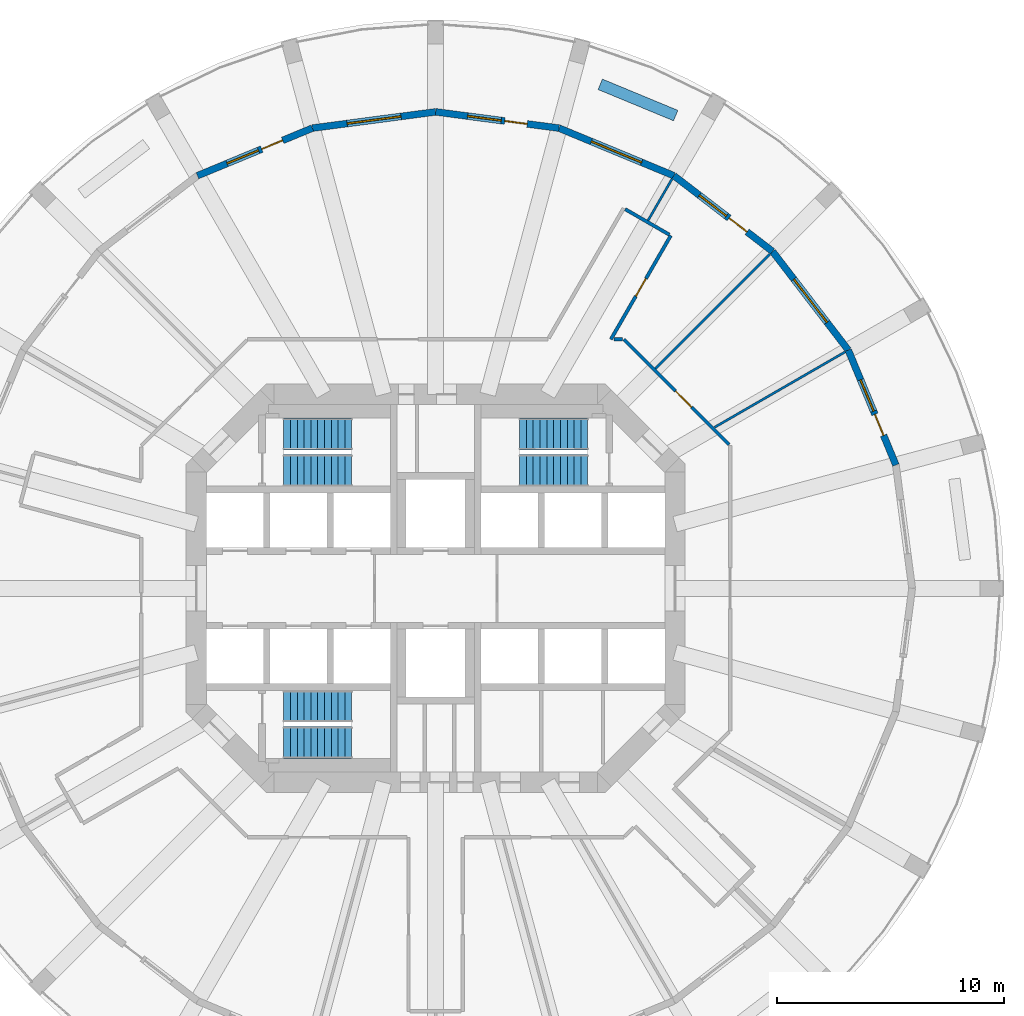
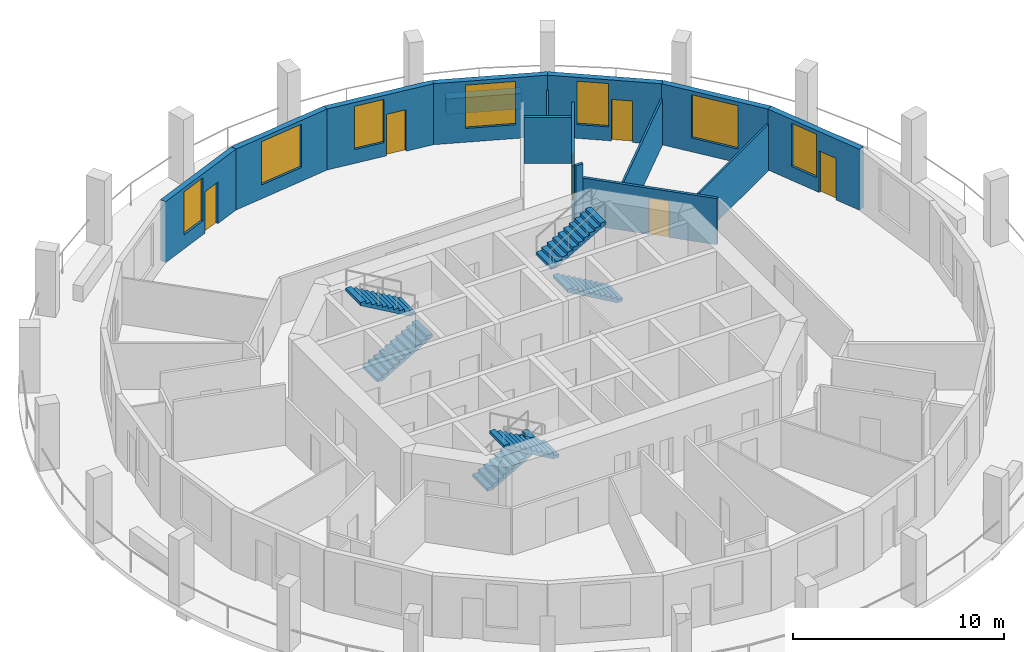
# One storey, part 6 of 8: 15 walls, 7 windows, 6 doors, 6 stair flights, 13 openings, 3 elements without a shape of their own.
"""IFC4 building model written with IfcOpenShell, lengths in metres."""

from ifc_helpers import new_model, si_unit, direction, frame, frame_2d, origin, place, context, subcontext, project, spatial, polyline, rectangle, outline, extrude, material, layer, layer_set, type_object, element, fill, aggregate, save


model = new_model("IFC4")

# Units and contexts
model_context = context("Model", 3, precision=1e-05, world=origin(), true_north=direction((0.0, 1.0)))
body_context = subcontext(model_context, "Body", "Model", "MODEL_VIEW")
ifc_project = project(units=[si_unit("LENGTHUNIT", "METRE"), si_unit("AREAUNIT", "SQUARE_METRE"), si_unit("VOLUMEUNIT", "CUBIC_METRE"), si_unit("PLANEANGLEUNIT", "RADIAN"), si_unit("MASSUNIT", "GRAM", prefix="KILO")], contexts=[model_context])

# Site, building, storey
site_placement = place(None, origin())
site = spatial("IfcSite", under=ifc_project, at=site_placement, CompositionType="ELEMENT")
building_placement = place(site_placement, origin())
building = spatial("IfcBuilding", under=site, at=building_placement, Name="Torre Triforio", CompositionType="ELEMENT")
storey_placement = place(building_placement, frame((0.0, 0.0, 116.199951171875)))
storey = spatial("IfcBuildingStorey", under=building, at=storey_placement, Name="L25", CompositionType="ELEMENT", Elevation=116.199951171875)

# Wall
ifc_material_1 = material(Name="Plasterboard on metal studs")
ifc_layer_1 = layer(ifc_material_1, 0.14990234375)
ifc_layer_set_1 = layer_set([ifc_layer_1], Name="Plasterboard on metal studs")
wall_type_1 = type_object("IfcWallType", Name="Corridor and tenancy wall 150 mm EI 60", PredefinedType="PARTITIONING", material=ifc_layer_set_1)
wall_1_placement = place(storey_placement, frame((8.35009765625, 16.712890625, 0.0), z_axis=(0.0, 0.0, 1.0), x_axis=(0.866017533419, -0.500013631625, 0.0)))
element("IfcWall", 1, at=wall_1_placement, inside=storey, type_object=wall_type_1, Name="Partition 11", PredefinedType="PARTITIONING", context=body_context, shape_type="SweptSolid", body=[
    extrude(rectangle(XDim=2.25, YDim=0.14990234375, at=frame_2d((1.125, 0.0))), origin(), (0.0, 0.0, 1.0), 2.670166015625),
])

# Wall, opening, door
wall_2_placement = place(storey_placement, frame((10.363525390625, 15.55029296875, 0.0), z_axis=(0.0, 0.0, 1.0), x_axis=(-0.499981143329, -0.866036290415, 0.0)))
wall_2 = element("IfcWall", 2, at=wall_2_placement, inside=storey, type_object=wall_type_1, Name="Partition 12", PredefinedType="PARTITIONING", context=body_context, shape_type="SweptSolid", body=[
    extrude(rectangle(XDim=5.282958984375, YDim=0.14990234375, at=frame_2d((2.6416015625, 0.0))), origin(), (0.0, 0.0, 1.0), 3.52001953125),
])
opening_1_placement = place(wall_2_placement, frame((2.19140625, 0.0, 0.0)))
opening_1 = element("IfcOpeningElement", 3, at=opening_1_placement, cuts=wall_2, Name="Opening D1-14", PredefinedType="OPENING", context=body_context, shape_type="SweptSolid", body=[
    extrude(rectangle(XDim=0.89990234375, YDim=2.10009765625, at=frame_2d((0.449951171875, 1.050048828125))), frame((0.0, 0.0849609375, 0.0), z_axis=(0.0, -1.0, 0.0), x_axis=(1.0, 0.0, 0.0)), (0.0, 0.0, 1.0), 0.169921875),
])
ifc_material_2 = material(Name="Timber", Category="wood")
door_type_1 = type_object("IfcDoorType", Name="Door 900 x 2100 single leaf EI 30", OperationType="NOTDEFINED", PredefinedType="DOOR", material=ifc_material_2)
door_1_placement = place(opening_1_placement, origin())
door_1 = element("IfcDoor", 4, at=door_1_placement, inside=storey, type_object=door_type_1, Name="Door D1-14", OperationType="SINGLE_SWING_LEFT", OverallHeight=2.10009765625, OverallWidth=0.89990234375, PredefinedType="DOOR", context=body_context, shape_type="SweptSolid", body=[
    extrude(rectangle(XDim=0.89990234375, YDim=2.10009765625, at=frame_2d((0.449951171875, 1.050048828125))), frame((0.0, 0.02490234375, 0.0), z_axis=(0.0, -1.0, 0.0), x_axis=(1.0, 0.0, 0.0)), (0.0, 0.0, 1.0), 0.050048828125),
])
fill(opening_1, door_1)

# Wall
wall_3_placement = place(storey_placement, frame((7.85205078125, 10.97509765625, 0.0), z_axis=(0.0, 0.0, 1.0), x_axis=(1.0, 0.0, 0.0)))
element("IfcWall", 5, at=wall_3_placement, inside=storey, type_object=wall_type_1, Name="Partition 13", PredefinedType="PARTITIONING", context=body_context, shape_type="SweptSolid", body=[
    extrude(rectangle(XDim=0.38623046875, YDim=0.14990234375, at=frame_2d((0.193115234375, 0.0))), origin(), (0.0, 0.0, 1.0), 3.52001953125),
])

# Wall, opening, door
wall_4_placement = place(storey_placement, frame((8.291015625, 10.97509765625, 0.0), z_axis=(0.0, 0.0, 1.0), x_axis=(0.707088206597, -0.707125355289, 0.0)))
wall_4 = element("IfcWall", 6, at=wall_4_placement, inside=storey, type_object=wall_type_1, Name="Partition 14", PredefinedType="PARTITIONING", context=body_context, shape_type="SweptSolid", body=[
    extrude(rectangle(XDim=6.572021484375, YDim=0.14990234375, at=frame_2d((3.2861328125, 0.0))), origin(), (0.0, 0.0, 1.0), 2.670166015625),
])
opening_2_placement = place(wall_4_placement, frame((3.22412109375, 0.0, 0.0)))
opening_2 = element("IfcOpeningElement", 7, at=opening_2_placement, cuts=wall_4, Name="Opening D1-13", PredefinedType="OPENING", context=body_context, shape_type="SweptSolid", body=[
    extrude(rectangle(XDim=1.0, YDim=2.10009765625, at=frame_2d((0.5, 1.050048828125))), frame((0.0, 0.0849609375, 0.0), z_axis=(0.0, -1.0, 0.0), x_axis=(1.0, 0.0, 0.0)), (0.0, 0.0, 1.0), 0.169921875),
])
door_type_2 = type_object("IfcDoorType", Name="Door 1000 x 2100 single leaf EI 30", OperationType="NOTDEFINED", PredefinedType="DOOR", material=ifc_material_2)
door_2_placement = place(opening_2_placement, origin())
door_2 = element("IfcDoor", 8, at=door_2_placement, inside=storey, type_object=door_type_2, Name="Door D1-13", OperationType="SINGLE_SWING_RIGHT", OverallHeight=2.10009765625, OverallWidth=1.0, PredefinedType="DOOR", context=body_context, shape_type="SweptSolid", body=[
    extrude(rectangle(XDim=1.0, YDim=2.10009765625, at=frame_2d((0.5, 1.050048828125))), frame((0.0, 0.02490234375, 0.0), z_axis=(0.0, -1.0, 0.0), x_axis=(1.0, 0.0, 0.0)), (0.0, 0.0, 1.0), 0.050048828125),
])
fill(opening_2, door_2)

# Walls
ifc_layer_2 = layer(ifc_material_1, 0.10009765625)
ifc_layer_set_2 = layer_set([ifc_layer_2], Name="Plasterboard on metal studs")
wall_type_2 = type_object("IfcWallType", Name="Partition 100 mm board on metal studs", PredefinedType="PARTITIONING", material=ifc_layer_set_2)
wall_5_placement = place(storey_placement, frame((12.294189453125, 7.097900390625, 0.0), z_axis=(0.0, 0.0, 1.0), x_axis=(0.866010486135, 0.500025837236, 0.0)))
element("IfcWall", 9, at=wall_5_placement, inside=storey, type_object=wall_type_2, Name="Partition 30", PredefinedType="PARTITIONING", context=body_context, shape_type="SweptSolid", body=[
    extrude(rectangle(XDim=6.640869140625, YDim=0.10009765625, at=frame_2d((3.3203125, 0.0))), origin(), (0.0, 0.0, 1.0), 2.670166015625),
])
wall_6_placement = place(storey_placement, frame((9.68603515625, 9.68603515625, 0.0), z_axis=(0.0, 0.0, 1.0), x_axis=(0.707106781187, 0.707106781187, 0.0)))
element("IfcWall", 10, at=wall_6_placement, inside=storey, type_object=wall_type_2, Name="Partition 31", PredefinedType="PARTITIONING", context=body_context, shape_type="SweptSolid", body=[
    extrude(rectangle(XDim=7.138671875, YDim=0.10009765625, at=frame_2d((3.5693359375, 0.0))), origin(), (0.0, 0.0, 1.0), 2.670166015625),
])
wall_7_placement = place(storey_placement, frame((9.36181640625, 16.215087890625, 0.0), z_axis=(0.0, 0.0, 1.0), x_axis=(0.500015802937, 0.866016279763, 0.0)))
element("IfcWall", 11, at=wall_7_placement, inside=storey, type_object=wall_type_2, Name="Partition 32", PredefinedType="PARTITIONING", context=body_context, shape_type="SweptSolid", body=[
    extrude(rectangle(XDim=2.11328125, YDim=0.10009765625, at=frame_2d((1.056640625, 0.0))), origin(), (0.0, 0.0, 1.0), 2.670166015625),
])
ifc_material_3 = material(Name="Limestone cladding", Category="masonry")
ifc_layer_3 = layer(ifc_material_3, 0.10009765625)
ifc_material_4 = material(Name="Concrete C40", Category="concrete")
ifc_layer_4 = layer(ifc_material_4, 0.39990234375)
ifc_layer_set_3 = layer_set([ifc_layer_3, ifc_layer_4], Name="Limestone cladding / Concrete C40")
wall_type_3 = type_object("IfcWallType", Name="Planter wall 500", PredefinedType="PARAPET", material=ifc_layer_set_3)
wall_8_placement = place(storey_placement, frame((10.57958984375, 20.837646484375, 0.0), z_axis=(0.0, 0.0, 1.0), x_axis=(-0.923909393783, 0.382611332921, 0.0)))
element("IfcWall", 12, at=wall_8_placement, inside=storey, type_object=wall_type_3, Name="Planter L25 bay 05", PredefinedType="PARAPET", context=body_context, shape_type="SweptSolid", body=[
    extrude(rectangle(XDim=3.60009765625, YDim=0.5, at=frame_2d((1.800048828125, 0.0))), origin(), (0.0, 0.0, 1.0), 0.900146484375),
])

# Wall, openings, door, window
ifc_layer_5 = layer(ifc_material_3, 0.10009765625)
ifc_layer_6 = layer(ifc_material_4, 0.199951171875)
ifc_layer_set_4 = layer_set([ifc_layer_5, ifc_layer_6], Name="Limestone cladding / Concrete C40")
wall_type_4 = type_object("IfcWallType", Name="Stone-faced composite wall 300", PredefinedType="STANDARD", material=ifc_layer_set_4)
wall_9_placement = place(storey_placement, frame((20.284423828125, 5.435302734375, 0.0), z_axis=(0.0, 0.0, 1.0), x_axis=(-0.382688740813, 0.923877333662, 0.0)))
wall_9 = element("IfcWall", 13, at=wall_9_placement, inside=storey, type_object=wall_type_4, Name="External wall L25 bay 02", PredefinedType="STANDARD", context=body_context, shape_type="SweptSolid", body=[
    extrude(rectangle(XDim=5.48193359375, YDim=0.300048828125, at=frame_2d((2.740966796875, 0.0))), origin(), (0.0, 0.0, 1.0), 3.52001953125),
])
opening_3_placement = place(wall_9_placement, frame((1.416015625, 0.0, 0.0)))
opening_3 = element("IfcOpeningElement", 14, at=opening_3_placement, cuts=wall_9, Name="Opening D1-D02", PredefinedType="OPENING", context=body_context, shape_type="SweptSolid", body=[
    extrude(rectangle(XDim=1.0, YDim=2.39990234375, at=frame_2d((0.5, 1.199951171875))), frame((0.0, 0.159912109375, 0.0), z_axis=(0.0, -1.0, 0.0), x_axis=(1.0, 0.0, 0.0)), (0.0, 0.0, 1.0), 0.320068359375),
])
opening_4_placement = place(wall_9_placement, frame((2.566162109375, 0.0, 0.800048828125)))
opening_4 = element("IfcOpeningElement", 15, at=opening_4_placement, cuts=wall_9, Name="Opening D1-W02A", PredefinedType="OPENING", context=body_context, shape_type="SweptSolid", body=[
    extrude(rectangle(XDim=1.5, YDim=2.5, at=frame_2d((0.75, 1.25))), frame((0.0, 0.159912109375, 0.0), z_axis=(0.0, -1.0, 0.0), x_axis=(1.0, 0.0, 0.0)), (0.0, 0.0, 1.0), 0.320068359375),
])
ifc_material_5 = material(Name="Aluminium frame with clear double glazing", Category="aluminium")
door_type_3 = type_object("IfcDoorType", Name="Loggia door 1000 x 2400", OperationType="NOTDEFINED", PredefinedType="DOOR", material=ifc_material_5)
door_3_placement = place(opening_3_placement, origin())
door_3 = element("IfcDoor", 16, at=door_3_placement, inside=storey, type_object=door_type_3, Name="Loggia door L25 bay 02", OperationType="SINGLE_SWING_LEFT", OverallHeight=2.39990234375, OverallWidth=1.0, PredefinedType="DOOR", context=body_context, shape_type="SweptSolid", body=[
    extrude(rectangle(XDim=1.0, YDim=2.39990234375, at=frame_2d((0.5, 1.199951171875))), frame((0.0, 0.02490234375, 0.0), z_axis=(0.0, -1.0, 0.0), x_axis=(1.0, 0.0, 0.0)), (0.0, 0.0, 1.0), 0.050048828125),
])
fill(opening_3, door_3)
window_type_1 = type_object("IfcWindowType", Name="Side window 1500 x 2500", PartitioningType="SINGLE_PANEL", PredefinedType="WINDOW", material=ifc_material_5)
window_1_placement = place(opening_4_placement, origin())
window_1 = element("IfcWindow", 17, at=window_1_placement, inside=storey, type_object=window_type_1, Name="Side window EWN13 L25 bay 02", OverallHeight=2.5, OverallWidth=1.5, PartitioningType="SINGLE_PANEL", PredefinedType="WINDOW", context=body_context, shape_type="SweptSolid", body=[
    extrude(rectangle(XDim=1.5, YDim=2.5, at=frame_2d((0.75, 1.25))), frame((0.0, 0.030029296875, 0.0), z_axis=(0.0, -1.0, 0.0), x_axis=(1.0, 0.0, 0.0)), (0.0, 0.0, 1.0), 0.06005859375),
])
fill(opening_4, window_1)

# Wall, opening, window
wall_10_placement = place(storey_placement, frame((18.1865234375, 10.5, 0.0), z_axis=(0.0, 0.0, 1.0), x_axis=(-0.608784891166, 0.793335336593, 0.0)))
wall_10 = element("IfcWall", 18, at=wall_10_placement, inside=storey, type_object=wall_type_4, Name="External wall L25 bay 03", PredefinedType="STANDARD", context=body_context, shape_type="SweptSolid", body=[
    extrude(rectangle(XDim=5.482177734375, YDim=0.300048828125, at=frame_2d((2.7412109375, 0.0))), origin(), (0.0, 0.0, 1.0), 3.52001953125),
])
opening_5_placement = place(wall_10_placement, frame((1.541015625, 0.0, 0.800048828125)))
opening_5 = element("IfcOpeningElement", 19, at=opening_5_placement, cuts=wall_10, Name="Opening D1-W03", PredefinedType="OPENING", context=body_context, shape_type="SweptSolid", body=[
    extrude(rectangle(XDim=2.39990234375, YDim=2.5, at=frame_2d((1.199951171875, 1.25))), frame((0.0, 0.159912109375, 0.0), z_axis=(0.0, -1.0, 0.0), x_axis=(1.0, 0.0, 0.0)), (0.0, 0.0, 1.0), 0.320068359375),
])
window_type_2 = type_object("IfcWindowType", Name="Punched window 2400 x 2500", PartitioningType="DOUBLE_PANEL_VERTICAL", PredefinedType="WINDOW", material=ifc_material_5)
window_2_placement = place(opening_5_placement, origin())
window_2 = element("IfcWindow", 20, at=window_2_placement, inside=storey, type_object=window_type_2, Name="Window EWN3 L25 bay 03", OverallHeight=2.5, OverallWidth=2.39990234375, PartitioningType="SINGLE_PANEL", PredefinedType="WINDOW", context=body_context, shape_type="SweptSolid", body=[
    extrude(rectangle(XDim=2.39990234375, YDim=2.5, at=frame_2d((1.199951171875, 1.25))), frame((0.0, 0.030029296875, 0.0), z_axis=(0.0, -1.0, 0.0), x_axis=(1.0, 0.0, 0.0)), (0.0, 0.0, 1.0), 0.06005859375),
])
fill(opening_5, window_2)

# Wall, openings, door, window
wall_11_placement = place(storey_placement, frame((14.84912109375, 14.84912109375, 0.0), z_axis=(0.0, 0.0, 1.0), x_axis=(-0.793335336593, 0.608784891166, 0.0)))
wall_11 = element("IfcWall", 21, at=wall_11_placement, inside=storey, type_object=wall_type_4, Name="External wall L25 bay 04", PredefinedType="STANDARD", context=body_context, shape_type="SweptSolid", body=[
    extrude(rectangle(XDim=5.482177734375, YDim=0.300048828125, at=frame_2d((2.7412109375, 0.0))), origin(), (0.0, 0.0, 1.0), 3.52001953125),
])
opening_6_placement = place(wall_11_placement, frame((1.416015625, 0.0, 0.0)))
opening_6 = element("IfcOpeningElement", 22, at=opening_6_placement, cuts=wall_11, Name="Opening D1-D04", PredefinedType="OPENING", context=body_context, shape_type="SweptSolid", body=[
    extrude(rectangle(XDim=1.0, YDim=2.39990234375, at=frame_2d((0.5, 1.199951171875))), frame((0.0, 0.159912109375, 0.0), z_axis=(0.0, -1.0, 0.0), x_axis=(1.0, 0.0, 0.0)), (0.0, 0.0, 1.0), 0.320068359375),
])
opening_7_placement = place(wall_11_placement, frame((2.56591796875, 0.0, 0.800048828125)))
opening_7 = element("IfcOpeningElement", 23, at=opening_7_placement, cuts=wall_11, Name="Opening D1-W04A", PredefinedType="OPENING", context=body_context, shape_type="SweptSolid", body=[
    extrude(rectangle(XDim=1.5, YDim=2.5, at=frame_2d((0.75, 1.25))), frame((0.0, 0.159912109375, 0.0), z_axis=(0.0, -1.0, 0.0), x_axis=(1.0, 0.0, 0.0)), (0.0, 0.0, 1.0), 0.320068359375),
])
door_4_placement = place(opening_6_placement, origin())
door_4 = element("IfcDoor", 24, at=door_4_placement, inside=storey, type_object=door_type_3, Name="Loggia door L25 bay 04", OperationType="SINGLE_SWING_LEFT", OverallHeight=2.39990234375, OverallWidth=1.0, PredefinedType="DOOR", context=body_context, shape_type="SweptSolid", body=[
    extrude(rectangle(XDim=1.0, YDim=2.39990234375, at=frame_2d((0.5, 1.199951171875))), frame((0.0, 0.02490234375, 0.0), z_axis=(0.0, -1.0, 0.0), x_axis=(1.0, 0.0, 0.0)), (0.0, 0.0, 1.0), 0.050048828125),
])
fill(opening_6, door_4)
window_3_placement = place(opening_7_placement, origin())
window_3 = element("IfcWindow", 25, at=window_3_placement, inside=storey, type_object=window_type_1, Name="Side window EWN13 L25 bay 04", OverallHeight=2.5, OverallWidth=1.5, PartitioningType="SINGLE_PANEL", PredefinedType="WINDOW", context=body_context, shape_type="SweptSolid", body=[
    extrude(rectangle(XDim=1.5, YDim=2.5, at=frame_2d((0.75, 1.25))), frame((0.0, 0.030029296875, 0.0), z_axis=(0.0, -1.0, 0.0), x_axis=(1.0, 0.0, 0.0)), (0.0, 0.0, 1.0), 0.06005859375),
])
fill(opening_7, window_3)

# Wall, opening, window
wall_12_placement = place(storey_placement, frame((10.5, 18.1865234375, 0.0), z_axis=(0.0, 0.0, 1.0), x_axis=(-0.923877333662, 0.382688740813, 0.0)))
wall_12 = element("IfcWall", 26, at=wall_12_placement, inside=storey, type_object=wall_type_4, Name="External wall L25 bay 05", PredefinedType="STANDARD", context=body_context, shape_type="SweptSolid", body=[
    extrude(rectangle(XDim=5.48193359375, YDim=0.300048828125, at=frame_2d((2.740966796875, 0.0))), origin(), (0.0, 0.0, 1.0), 3.52001953125),
])
opening_8_placement = place(wall_12_placement, frame((1.541015625, 0.0, 0.800048828125)))
opening_8 = element("IfcOpeningElement", 27, at=opening_8_placement, cuts=wall_12, Name="Opening D1-W05", PredefinedType="OPENING", context=body_context, shape_type="SweptSolid", body=[
    extrude(rectangle(XDim=2.39990234375, YDim=2.5, at=frame_2d((1.199951171875, 1.25))), frame((0.0, 0.159912109375, 0.0), z_axis=(0.0, -1.0, 0.0), x_axis=(1.0, 0.0, 0.0)), (0.0, 0.0, 1.0), 0.320068359375),
])
window_4_placement = place(opening_8_placement, origin())
window_4 = element("IfcWindow", 28, at=window_4_placement, inside=storey, type_object=window_type_2, Name="Window EWN3 L25 bay 05", OverallHeight=2.5, OverallWidth=2.39990234375, PartitioningType="SINGLE_PANEL", PredefinedType="WINDOW", context=body_context, shape_type="SweptSolid", body=[
    extrude(rectangle(XDim=2.39990234375, YDim=2.5, at=frame_2d((1.199951171875, 1.25))), frame((0.0, 0.030029296875, 0.0), z_axis=(0.0, -1.0, 0.0), x_axis=(1.0, 0.0, 0.0)), (0.0, 0.0, 1.0), 0.06005859375),
])
fill(opening_8, window_4)

# Wall, openings, door, window
wall_13_placement = place(storey_placement, frame((5.435302734375, 20.284423828125, 0.0), z_axis=(0.0, 0.0, 1.0), x_axis=(-0.991444743541, 0.130527087244, 0.0)))
wall_13 = element("IfcWall", 29, at=wall_13_placement, inside=storey, type_object=wall_type_4, Name="External wall L25 bay 06", PredefinedType="STANDARD", context=body_context, shape_type="SweptSolid", body=[
    extrude(rectangle(XDim=5.482177734375, YDim=0.300048828125, at=frame_2d((2.7412109375, 0.0))), origin(), (0.0, 0.0, 1.0), 3.52001953125),
])
opening_9_placement = place(wall_13_placement, frame((1.416015625, 0.0, 0.0)))
opening_9 = element("IfcOpeningElement", 30, at=opening_9_placement, cuts=wall_13, Name="Opening D1-D06", PredefinedType="OPENING", context=body_context, shape_type="SweptSolid", body=[
    extrude(rectangle(XDim=1.0, YDim=2.39990234375, at=frame_2d((0.5, 1.199951171875))), frame((0.0, 0.159912109375, 0.0), z_axis=(0.0, -1.0, 0.0), x_axis=(1.0, 0.0, 0.0)), (0.0, 0.0, 1.0), 0.320068359375),
])
opening_10_placement = place(wall_13_placement, frame((2.566162109375, 0.0, 0.800048828125)))
opening_10 = element("IfcOpeningElement", 31, at=opening_10_placement, cuts=wall_13, Name="Opening D1-W06A", PredefinedType="OPENING", context=body_context, shape_type="SweptSolid", body=[
    extrude(rectangle(XDim=1.5, YDim=2.5, at=frame_2d((0.75, 1.25))), frame((0.0, 0.159912109375, 0.0), z_axis=(0.0, -1.0, 0.0), x_axis=(1.0, 0.0, 0.0)), (0.0, 0.0, 1.0), 0.320068359375),
])
door_5_placement = place(opening_9_placement, origin())
door_5 = element("IfcDoor", 32, at=door_5_placement, inside=storey, type_object=door_type_3, Name="Loggia door L25 bay 06", OperationType="SINGLE_SWING_LEFT", OverallHeight=2.39990234375, OverallWidth=1.0, PredefinedType="DOOR", context=body_context, shape_type="SweptSolid", body=[
    extrude(rectangle(XDim=1.0, YDim=2.39990234375, at=frame_2d((0.5, 1.199951171875))), frame((0.0, 0.02490234375, 0.0), z_axis=(0.0, -1.0, 0.0), x_axis=(1.0, 0.0, 0.0)), (0.0, 0.0, 1.0), 0.050048828125),
])
fill(opening_9, door_5)
window_5_placement = place(opening_10_placement, origin())
window_5 = element("IfcWindow", 33, at=window_5_placement, inside=storey, type_object=window_type_1, Name="Side window EWN13 L25 bay 06", OverallHeight=2.5, OverallWidth=1.5, PartitioningType="SINGLE_PANEL", PredefinedType="WINDOW", context=body_context, shape_type="SweptSolid", body=[
    extrude(rectangle(XDim=1.5, YDim=2.5, at=frame_2d((0.75, 1.25))), frame((0.0, 0.030029296875, 0.0), z_axis=(0.0, -1.0, 0.0), x_axis=(1.0, 0.0, 0.0)), (0.0, 0.0, 1.0), 0.06005859375),
])
fill(opening_10, window_5)

# Wall, opening, window
wall_14_placement = place(storey_placement, frame((0.0, 21.0, 0.0), z_axis=(0.0, 0.0, 1.0), x_axis=(-0.991444743541, -0.130527087244, 0.0)))
wall_14 = element("IfcWall", 34, at=wall_14_placement, inside=storey, type_object=wall_type_4, Name="External wall L25 bay 07", PredefinedType="STANDARD", context=body_context, shape_type="SweptSolid", body=[
    extrude(rectangle(XDim=5.482177734375, YDim=0.300048828125, at=frame_2d((2.7412109375, 0.0))), origin(), (0.0, 0.0, 1.0), 3.52001953125),
])
opening_11_placement = place(wall_14_placement, frame((1.541015625, 0.0, 0.800048828125)))
opening_11 = element("IfcOpeningElement", 35, at=opening_11_placement, cuts=wall_14, Name="Opening D1-W07", PredefinedType="OPENING", context=body_context, shape_type="SweptSolid", body=[
    extrude(rectangle(XDim=2.39990234375, YDim=2.5, at=frame_2d((1.199951171875, 1.25))), frame((0.0, 0.159912109375, 0.0), z_axis=(0.0, -1.0, 0.0), x_axis=(1.0, 0.0, 0.0)), (0.0, 0.0, 1.0), 0.320068359375),
])
window_6_placement = place(opening_11_placement, origin())
window_6 = element("IfcWindow", 36, at=window_6_placement, inside=storey, type_object=window_type_2, Name="Window EWN3 L25 bay 07", OverallHeight=2.5, OverallWidth=2.39990234375, PartitioningType="SINGLE_PANEL", PredefinedType="WINDOW", context=body_context, shape_type="SweptSolid", body=[
    extrude(rectangle(XDim=2.39990234375, YDim=2.5, at=frame_2d((1.199951171875, 1.25))), frame((0.0, 0.030029296875, 0.0), z_axis=(0.0, -1.0, 0.0), x_axis=(1.0, 0.0, 0.0)), (0.0, 0.0, 1.0), 0.06005859375),
])
fill(opening_11, window_6)

# Wall, openings, door, window
wall_15_placement = place(storey_placement, frame((-5.435302734375, 20.284423828125, 0.0), z_axis=(0.0, 0.0, 1.0), x_axis=(-0.923877333662, -0.382688740813, 0.0)))
wall_15 = element("IfcWall", 37, at=wall_15_placement, inside=storey, type_object=wall_type_4, Name="External wall L25 bay 08", PredefinedType="STANDARD", context=body_context, shape_type="SweptSolid", body=[
    extrude(rectangle(XDim=5.48193359375, YDim=0.300048828125, at=frame_2d((2.740966796875, 0.0))), origin(), (0.0, 0.0, 1.0), 3.52001953125),
])
opening_12_placement = place(wall_15_placement, frame((1.416015625, 0.0, 0.0)))
opening_12 = element("IfcOpeningElement", 38, at=opening_12_placement, cuts=wall_15, Name="Opening D1-D08", PredefinedType="OPENING", context=body_context, shape_type="SweptSolid", body=[
    extrude(rectangle(XDim=1.0, YDim=2.39990234375, at=frame_2d((0.5, 1.199951171875))), frame((0.0, 0.159912109375, 0.0), z_axis=(0.0, -1.0, 0.0), x_axis=(1.0, 0.0, 0.0)), (0.0, 0.0, 1.0), 0.320068359375),
])
opening_13_placement = place(wall_15_placement, frame((2.566162109375, 0.0, 0.800048828125)))
opening_13 = element("IfcOpeningElement", 39, at=opening_13_placement, cuts=wall_15, Name="Opening D1-W08A", PredefinedType="OPENING", context=body_context, shape_type="SweptSolid", body=[
    extrude(rectangle(XDim=1.5, YDim=2.5, at=frame_2d((0.75, 1.25))), frame((0.0, 0.159912109375, 0.0), z_axis=(0.0, -1.0, 0.0), x_axis=(1.0, 0.0, 0.0)), (0.0, 0.0, 1.0), 0.320068359375),
])
door_6_placement = place(opening_12_placement, origin())
door_6 = element("IfcDoor", 40, at=door_6_placement, inside=storey, type_object=door_type_3, Name="Loggia door L25 bay 08", OperationType="SINGLE_SWING_LEFT", OverallHeight=2.39990234375, OverallWidth=1.0, PredefinedType="DOOR", context=body_context, shape_type="SweptSolid", body=[
    extrude(rectangle(XDim=1.0, YDim=2.39990234375, at=frame_2d((0.5, 1.199951171875))), frame((0.0, 0.02490234375, 0.0), z_axis=(0.0, -1.0, 0.0), x_axis=(1.0, 0.0, 0.0)), (0.0, 0.0, 1.0), 0.050048828125),
])
fill(opening_12, door_6)
window_7_placement = place(opening_13_placement, origin())
window_7 = element("IfcWindow", 41, at=window_7_placement, inside=storey, type_object=window_type_1, Name="Side window EWN13 L25 bay 08", OverallHeight=2.5, OverallWidth=1.5, PartitioningType="SINGLE_PANEL", PredefinedType="WINDOW", context=body_context, shape_type="SweptSolid", body=[
    extrude(rectangle(XDim=1.5, YDim=2.5, at=frame_2d((0.75, 1.25))), frame((0.0, 0.030029296875, 0.0), z_axis=(0.0, -1.0, 0.0), x_axis=(1.0, 0.0, 0.0)), (0.0, 0.0, 1.0), 0.06005859375),
])
fill(opening_13, window_7)

# Stair, stair flights
stair_type = type_object("IfcStairType", Name="STAIR HALF-TURN", PredefinedType="HALF_TURN_STAIR", material=ifc_material_4)
stair_1_placement = place(storey_placement, origin())
stair_1 = element("IfcStair", 42, at=stair_1_placement, inside=storey, type_object=stair_type, Name="Exit stair 1", PredefinedType="HALF_TURN_STAIR")
stair_flight_type = type_object("IfcStairFlightType", Name="STAIR FLIGHT 1400", PredefinedType="STRAIGHT", material=ifc_material_4)
stair_flight_1_placement = place(storey_placement, frame((-6.699951171875, 5.199951171875, 0.0), z_axis=(0.0, 0.0, 1.0), x_axis=(1.0, 0.0, 0.0)))
stair_flight_1 = element("IfcStairFlight", 43, at=stair_flight_1_placement, type_object=stair_flight_type, Name="ST1 flight 1", NumberOfRisers=11, NumberOfTreads=10, PredefinedType="STRAIGHT", RiserHeight=0.172727273, TreadLength=0.3, context=body_context, shape_type="SweptSolid", body=[
    extrude(outline(polyline([(0.0, 0.0), (0.0, 0.172607421875), (0.300048828125, 0.172607421875), (0.300048828125, 0.345458984375), (0.60009765625, 0.345458984375), (0.60009765625, 0.51806640625), (0.89990234375, 0.51806640625), (0.89990234375, 0.69091796875), (1.199951171875, 0.69091796875), (1.199951171875, 0.863525390625), (1.5, 0.863525390625), (1.5, 1.036376953125), (1.800048828125, 1.036376953125), (1.800048828125, 1.208984375), (2.10009765625, 1.208984375), (2.10009765625, 1.3818359375), (2.39990234375, 1.3818359375), (2.39990234375, 1.554443359375), (2.699951171875, 1.554443359375), (2.699951171875, 1.727294921875), (3.0, 1.727294921875), (3.0, 1.89990234375), (3.0, 1.55419921875), (0.300537109375, 0.0), (0.0, 0.0)])), frame((0.0, 0.699951171875, 0.0), z_axis=(0.0, -1.0, 0.0), x_axis=(1.0, 0.0, 0.0)), (0.0, 0.0, 1.0), 1.39990234375),
])
stair_flight_2_placement = place(storey_placement, frame((-3.699951171875, 6.800048828125, 1.900146484375), z_axis=(0.0, 0.0, 1.0), x_axis=(-1.0, 0.0, 0.0)))
stair_flight_2 = element("IfcStairFlight", 44, at=stair_flight_2_placement, type_object=stair_flight_type, Name="ST1 flight 2", NumberOfRisers=11, NumberOfTreads=10, PredefinedType="STRAIGHT", RiserHeight=0.172727273, TreadLength=0.3, context=body_context, shape_type="SweptSolid", body=[
    extrude(outline(polyline([(0.0, 0.0), (0.0, 0.172607421875), (0.300048828125, 0.172607421875), (0.300048828125, 0.345458984375), (0.60009765625, 0.345458984375), (0.60009765625, 0.51806640625), (0.89990234375, 0.51806640625), (0.89990234375, 0.69091796875), (1.199951171875, 0.69091796875), (1.199951171875, 0.863525390625), (1.5, 0.863525390625), (1.5, 1.036376953125), (1.800048828125, 1.036376953125), (1.800048828125, 1.208984375), (2.10009765625, 1.208984375), (2.10009765625, 1.3818359375), (2.39990234375, 1.3818359375), (2.39990234375, 1.554443359375), (2.699951171875, 1.554443359375), (2.699951171875, 1.727294921875), (3.0, 1.727294921875), (3.0, 1.89990234375), (3.0, 1.55419921875), (0.300537109375, 0.0), (0.0, 0.0)])), frame((0.0, 0.699951171875, 0.0), z_axis=(0.0, -1.0, 0.0), x_axis=(1.0, 0.0, 0.0)), (0.0, 0.0, 1.0), 1.39990234375),
])
aggregate(stair_1, [stair_flight_1, stair_flight_2])

stair_2_placement = place(storey_placement, origin())
stair_2 = element("IfcStair", 45, at=stair_2_placement, inside=storey, type_object=stair_type, Name="Exit stair 2", PredefinedType="HALF_TURN_STAIR")
stair_flight_3_placement = place(storey_placement, frame((6.699951171875, 5.199951171875, 0.0), z_axis=(0.0, 0.0, 1.0), x_axis=(-1.0, 0.0, 0.0)))
stair_flight_3 = element("IfcStairFlight", 46, at=stair_flight_3_placement, type_object=stair_flight_type, Name="ST2 flight 1", NumberOfRisers=11, NumberOfTreads=10, PredefinedType="STRAIGHT", RiserHeight=0.172727273, TreadLength=0.3, context=body_context, shape_type="SweptSolid", body=[
    extrude(outline(polyline([(0.0, 0.0), (0.0, 0.172607421875), (0.300048828125, 0.172607421875), (0.300048828125, 0.345458984375), (0.60009765625, 0.345458984375), (0.60009765625, 0.51806640625), (0.89990234375, 0.51806640625), (0.89990234375, 0.69091796875), (1.199951171875, 0.69091796875), (1.199951171875, 0.863525390625), (1.5, 0.863525390625), (1.5, 1.036376953125), (1.800048828125, 1.036376953125), (1.800048828125, 1.208984375), (2.10009765625, 1.208984375), (2.10009765625, 1.3818359375), (2.39990234375, 1.3818359375), (2.39990234375, 1.554443359375), (2.699951171875, 1.554443359375), (2.699951171875, 1.727294921875), (3.0, 1.727294921875), (3.0, 1.89990234375), (3.0, 1.55419921875), (0.300537109375, 0.0), (0.0, 0.0)])), frame((0.0, 0.699951171875, 0.0), z_axis=(0.0, -1.0, 0.0), x_axis=(1.0, 0.0, 0.0)), (0.0, 0.0, 1.0), 1.39990234375),
])
stair_flight_4_placement = place(storey_placement, frame((3.699951171875, 6.800048828125, 1.900146484375), z_axis=(0.0, 0.0, 1.0), x_axis=(1.0, 0.0, 0.0)))
stair_flight_4 = element("IfcStairFlight", 47, at=stair_flight_4_placement, type_object=stair_flight_type, Name="ST2 flight 2", NumberOfRisers=11, NumberOfTreads=10, PredefinedType="STRAIGHT", RiserHeight=0.172727273, TreadLength=0.3, context=body_context, shape_type="SweptSolid", body=[
    extrude(outline(polyline([(0.0, 0.0), (0.0, 0.172607421875), (0.300048828125, 0.172607421875), (0.300048828125, 0.345458984375), (0.60009765625, 0.345458984375), (0.60009765625, 0.51806640625), (0.89990234375, 0.51806640625), (0.89990234375, 0.69091796875), (1.199951171875, 0.69091796875), (1.199951171875, 0.863525390625), (1.5, 0.863525390625), (1.5, 1.036376953125), (1.800048828125, 1.036376953125), (1.800048828125, 1.208984375), (2.10009765625, 1.208984375), (2.10009765625, 1.3818359375), (2.39990234375, 1.3818359375), (2.39990234375, 1.554443359375), (2.699951171875, 1.554443359375), (2.699951171875, 1.727294921875), (3.0, 1.727294921875), (3.0, 1.89990234375), (3.0, 1.55419921875), (0.300537109375, 0.0), (0.0, 0.0)])), frame((0.0, 0.699951171875, 0.0), z_axis=(0.0, -1.0, 0.0), x_axis=(1.0, 0.0, 0.0)), (0.0, 0.0, 1.0), 1.39990234375),
])
aggregate(stair_2, [stair_flight_3, stair_flight_4])

stair_3_placement = place(storey_placement, origin())
stair_3 = element("IfcStair", 48, at=stair_3_placement, inside=storey, type_object=stair_type, Name="Exit stair 3", PredefinedType="HALF_TURN_STAIR")
stair_flight_5_placement = place(storey_placement, frame((-6.699951171875, -5.199951171875, 0.0), z_axis=(0.0, 0.0, 1.0), x_axis=(1.0, 0.0, 0.0)))
stair_flight_5 = element("IfcStairFlight", 49, at=stair_flight_5_placement, type_object=stair_flight_type, Name="ST3 flight 1", NumberOfRisers=11, NumberOfTreads=10, PredefinedType="STRAIGHT", RiserHeight=0.172727273, TreadLength=0.3, context=body_context, shape_type="SweptSolid", body=[
    extrude(outline(polyline([(0.0, 0.0), (0.0, 0.172607421875), (0.300048828125, 0.172607421875), (0.300048828125, 0.345458984375), (0.60009765625, 0.345458984375), (0.60009765625, 0.51806640625), (0.89990234375, 0.51806640625), (0.89990234375, 0.69091796875), (1.199951171875, 0.69091796875), (1.199951171875, 0.863525390625), (1.5, 0.863525390625), (1.5, 1.036376953125), (1.800048828125, 1.036376953125), (1.800048828125, 1.208984375), (2.10009765625, 1.208984375), (2.10009765625, 1.3818359375), (2.39990234375, 1.3818359375), (2.39990234375, 1.554443359375), (2.699951171875, 1.554443359375), (2.699951171875, 1.727294921875), (3.0, 1.727294921875), (3.0, 1.89990234375), (3.0, 1.55419921875), (0.300537109375, 0.0), (0.0, 0.0)])), frame((0.0, 0.699951171875, 0.0), z_axis=(0.0, -1.0, 0.0), x_axis=(1.0, 0.0, 0.0)), (0.0, 0.0, 1.0), 1.39990234375),
])
stair_flight_6_placement = place(storey_placement, frame((-3.699951171875, -6.800048828125, 1.900146484375), z_axis=(0.0, 0.0, 1.0), x_axis=(-1.0, 0.0, 0.0)))
stair_flight_6 = element("IfcStairFlight", 50, at=stair_flight_6_placement, type_object=stair_flight_type, Name="ST3 flight 2", NumberOfRisers=11, NumberOfTreads=10, PredefinedType="STRAIGHT", RiserHeight=0.172727273, TreadLength=0.3, context=body_context, shape_type="SweptSolid", body=[
    extrude(outline(polyline([(0.0, 0.0), (0.0, 0.172607421875), (0.300048828125, 0.172607421875), (0.300048828125, 0.345458984375), (0.60009765625, 0.345458984375), (0.60009765625, 0.51806640625), (0.89990234375, 0.51806640625), (0.89990234375, 0.69091796875), (1.199951171875, 0.69091796875), (1.199951171875, 0.863525390625), (1.5, 0.863525390625), (1.5, 1.036376953125), (1.800048828125, 1.036376953125), (1.800048828125, 1.208984375), (2.10009765625, 1.208984375), (2.10009765625, 1.3818359375), (2.39990234375, 1.3818359375), (2.39990234375, 1.554443359375), (2.699951171875, 1.554443359375), (2.699951171875, 1.727294921875), (3.0, 1.727294921875), (3.0, 1.89990234375), (3.0, 1.55419921875), (0.300537109375, 0.0), (0.0, 0.0)])), frame((0.0, 0.699951171875, 0.0), z_axis=(0.0, -1.0, 0.0), x_axis=(1.0, 0.0, 0.0)), (0.0, 0.0, 1.0), 1.39990234375),
])
aggregate(stair_3, [stair_flight_5, stair_flight_6])

save(model, "model.ifc")
